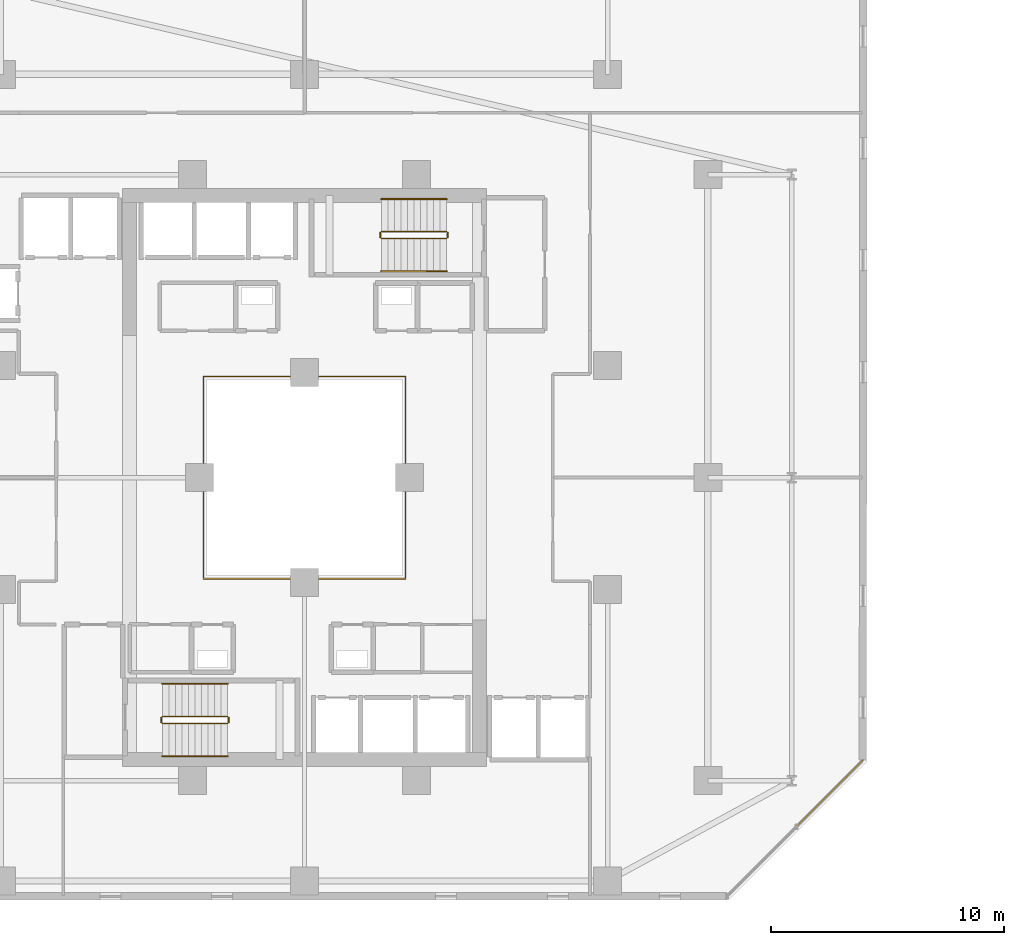
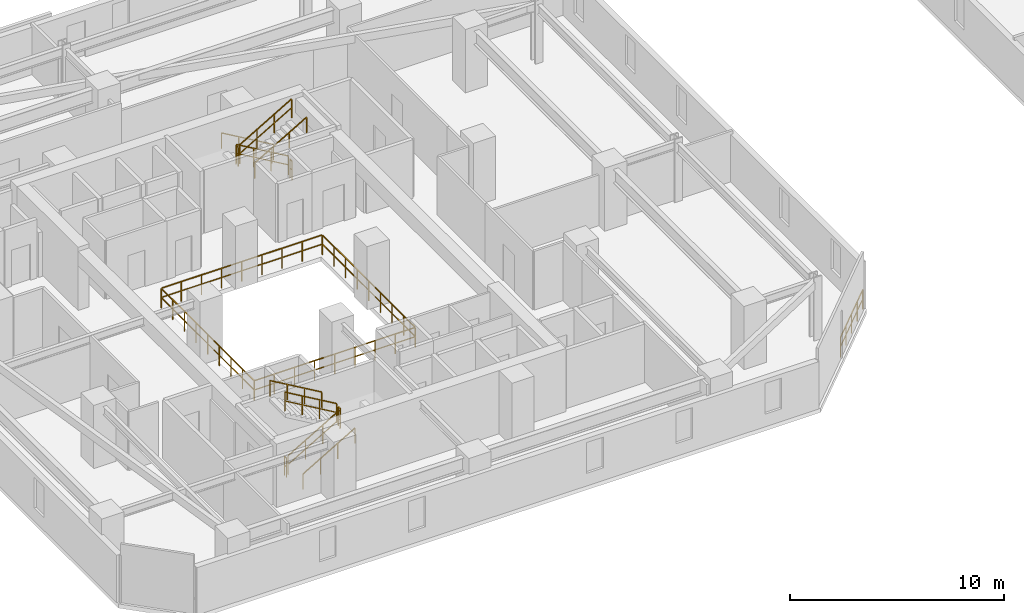
# One storey, part 27 of 30: 14 railings.
"""IFC4 building model written with IfcOpenShell, lengths in metres."""

from ifc_helpers import new_model, si_unit, direction, frame, origin, origin_2d, place, context, subcontext, project, spatial, rectangle, extrude, material, type_object, element, save


model = new_model("IFC4")

# Units and contexts
model_context = context("Model", 3, precision=1e-05, world=origin(), true_north=direction((0.0, 1.0)))
body_context = subcontext(model_context, "Body", "Model", "MODEL_VIEW")
ifc_project = project(units=[si_unit("LENGTHUNIT", "METRE"), si_unit("AREAUNIT", "SQUARE_METRE"), si_unit("VOLUMEUNIT", "CUBIC_METRE"), si_unit("PLANEANGLEUNIT", "RADIAN"), si_unit("MASSUNIT", "GRAM", prefix="KILO")], contexts=[model_context])

# Site, building, storey
site_placement = place(None, origin())
site = spatial("IfcSite", under=ifc_project, at=site_placement, CompositionType="ELEMENT")
building_placement = place(site_placement, origin())
building = spatial("IfcBuilding", under=site, at=building_placement, Name="Thornwick Lancets Civic Towers", CompositionType="ELEMENT")
storey_placement = place(building_placement, frame((0.0, 0.0, 80.10009765625)))
storey = spatial("IfcBuildingStorey", under=building, at=storey_placement, Name="L20", CompositionType="ELEMENT", Elevation=80.10009765625)

# Railings
ifc_material_1 = material(Name="Laminated glass and bronze steel S355", Category="steel")
railing_type_1 = type_object("IfcRailingType", Name="RAIL_ATRIUM_GUARD", PredefinedType="BALUSTRADE", material=ifc_material_1)
railing_1_placement = place(storey_placement, frame((21.159912109375, 22.659912109375, 0.0)))
element("IfcRailing", 1, at=railing_1_placement, inside=storey, type_object=railing_type_1, Name="L20 Tower A Central Atrium Guard Balustrade", PredefinedType="BALUSTRADE", context=body_context, shape_type="SweptSolid", body=[
    extrude(rectangle(XDim=0.048095703125, YDim=0.048095703125, at=origin_2d()), frame((0.0, 0.0, 1.1259765625), z_axis=(1.0, 0.0, 0.0), x_axis=(0.0, 1.0, 0.0)), (0.0, 0.0, 1.0), 8.64892578125),
    extrude(rectangle(XDim=0.0419921875, YDim=0.0419921875, at=origin_2d()), frame((0.03759765625, 0.0, 0.597900390625), z_axis=(1.0, 0.0, 0.0), x_axis=(0.0, 1.0, 0.0)), (0.0, 0.0, 1.0), 1.010009765625),
    extrude(rectangle(XDim=0.0419921875, YDim=0.0419921875, at=origin_2d()), frame((1.12255859375, 0.0, 0.597900390625), z_axis=(1.0, 0.0, 0.0), x_axis=(0.0, 1.0, 0.0)), (0.0, 0.0, 1.0), 1.010009765625),
    extrude(rectangle(XDim=0.0419921875, YDim=0.0419921875, at=origin_2d()), frame((2.20751953125, 0.0, 0.597900390625), z_axis=(1.0, 0.0, 0.0), x_axis=(0.0, 1.0, 0.0)), (0.0, 0.0, 1.0), 1.010009765625),
    extrude(rectangle(XDim=0.0419921875, YDim=0.0419921875, at=origin_2d()), frame((3.29248046875, 0.0, 0.597900390625), z_axis=(1.0, 0.0, 0.0), x_axis=(0.0, 1.0, 0.0)), (0.0, 0.0, 1.0), 1.010009765625),
    extrude(rectangle(XDim=0.0419921875, YDim=0.0419921875, at=origin_2d()), frame((4.377685546875, 0.0, 0.597900390625), z_axis=(1.0, 0.0, 0.0), x_axis=(0.0, 1.0, 0.0)), (0.0, 0.0, 1.0), 1.010009765625),
    extrude(rectangle(XDim=0.0419921875, YDim=0.0419921875, at=origin_2d()), frame((5.462646484375, 0.0, 0.597900390625), z_axis=(1.0, 0.0, 0.0), x_axis=(0.0, 1.0, 0.0)), (0.0, 0.0, 1.0), 1.010009765625),
    extrude(rectangle(XDim=0.0419921875, YDim=0.0419921875, at=origin_2d()), frame((6.547607421875, 0.0, 0.597900390625), z_axis=(1.0, 0.0, 0.0), x_axis=(0.0, 1.0, 0.0)), (0.0, 0.0, 1.0), 1.010009765625),
    extrude(rectangle(XDim=0.0419921875, YDim=0.0419921875, at=origin_2d()), frame((7.632568359375, 0.0, 0.597900390625), z_axis=(1.0, 0.0, 0.0), x_axis=(0.0, 1.0, 0.0)), (0.0, 0.0, 1.0), 1.010009765625),
    extrude(rectangle(XDim=0.048095703125, YDim=0.048095703125, at=origin_2d()), frame((8.68017578125, 0.03125, 1.1259765625), z_axis=(0.0, 1.0, 0.0), x_axis=(-1.0, 0.0, 0.0)), (0.0, 0.0, 1.0), 8.61767578125),
    extrude(rectangle(XDim=0.0419921875, YDim=0.0419921875, at=origin_2d()), frame((8.68017578125, 0.03759765625, 0.597900390625), z_axis=(0.0, 1.0, 0.0), x_axis=(-1.0, 0.0, 0.0)), (0.0, 0.0, 1.0), 1.010009765625),
    extrude(rectangle(XDim=0.0419921875, YDim=0.0419921875, at=origin_2d()), frame((8.68017578125, 1.12255859375, 0.597900390625), z_axis=(0.0, 1.0, 0.0), x_axis=(-1.0, 0.0, 0.0)), (0.0, 0.0, 1.0), 1.010009765625),
    extrude(rectangle(XDim=0.0419921875, YDim=0.0419921875, at=origin_2d()), frame((8.68017578125, 2.20751953125, 0.597900390625), z_axis=(0.0, 1.0, 0.0), x_axis=(-1.0, 0.0, 0.0)), (0.0, 0.0, 1.0), 1.010009765625),
    extrude(rectangle(XDim=0.0419921875, YDim=0.0419921875, at=origin_2d()), frame((8.68017578125, 3.29248046875, 0.597900390625), z_axis=(0.0, 1.0, 0.0), x_axis=(-1.0, 0.0, 0.0)), (0.0, 0.0, 1.0), 1.010009765625),
    extrude(rectangle(XDim=0.0419921875, YDim=0.0419921875, at=origin_2d()), frame((8.68017578125, 4.377685546875, 0.597900390625), z_axis=(0.0, 1.0, 0.0), x_axis=(-1.0, 0.0, 0.0)), (0.0, 0.0, 1.0), 1.010009765625),
    extrude(rectangle(XDim=0.0419921875, YDim=0.0419921875, at=origin_2d()), frame((8.68017578125, 5.462646484375, 0.597900390625), z_axis=(0.0, 1.0, 0.0), x_axis=(-1.0, 0.0, 0.0)), (0.0, 0.0, 1.0), 1.010009765625),
    extrude(rectangle(XDim=0.0419921875, YDim=0.0419921875, at=origin_2d()), frame((8.68017578125, 6.547607421875, 0.597900390625), z_axis=(0.0, 1.0, 0.0), x_axis=(-1.0, 0.0, 0.0)), (0.0, 0.0, 1.0), 1.010009765625),
    extrude(rectangle(XDim=0.0419921875, YDim=0.0419921875, at=origin_2d()), frame((8.68017578125, 7.632568359375, 0.597900390625), z_axis=(0.0, 1.0, 0.0), x_axis=(-1.0, 0.0, 0.0)), (0.0, 0.0, 1.0), 1.010009765625),
    extrude(rectangle(XDim=0.048095703125, YDim=0.048095703125, at=origin_2d()), frame((8.64892578125, 8.68017578125, 1.1259765625), z_axis=(-1.0, 0.0, 0.0), x_axis=(0.0, -1.0, 0.0)), (0.0, 0.0, 1.0), 8.61767578125),
    extrude(rectangle(XDim=0.0419921875, YDim=0.0419921875, at=origin_2d()), frame((8.642578125, 8.68017578125, 0.597900390625), z_axis=(-1.0, 0.0, 0.0), x_axis=(0.0, -1.0, 0.0)), (0.0, 0.0, 1.0), 1.010009765625),
    extrude(rectangle(XDim=0.0419921875, YDim=0.0419921875, at=origin_2d()), frame((7.5576171875, 8.68017578125, 0.597900390625), z_axis=(-1.0, 0.0, 0.0), x_axis=(0.0, -1.0, 0.0)), (0.0, 0.0, 1.0), 1.010009765625),
    extrude(rectangle(XDim=0.0419921875, YDim=0.0419921875, at=origin_2d()), frame((6.47265625, 8.68017578125, 0.597900390625), z_axis=(-1.0, 0.0, 0.0), x_axis=(0.0, -1.0, 0.0)), (0.0, 0.0, 1.0), 1.010009765625),
    extrude(rectangle(XDim=0.0419921875, YDim=0.0419921875, at=origin_2d()), frame((5.3876953125, 8.68017578125, 0.597900390625), z_axis=(-1.0, 0.0, 0.0), x_axis=(0.0, -1.0, 0.0)), (0.0, 0.0, 1.0), 1.010009765625),
    extrude(rectangle(XDim=0.0419921875, YDim=0.0419921875, at=origin_2d()), frame((4.302490234375, 8.68017578125, 0.597900390625), z_axis=(-1.0, 0.0, 0.0), x_axis=(0.0, -1.0, 0.0)), (0.0, 0.0, 1.0), 1.010009765625),
    extrude(rectangle(XDim=0.0419921875, YDim=0.0419921875, at=origin_2d()), frame((3.217529296875, 8.68017578125, 0.597900390625), z_axis=(-1.0, 0.0, 0.0), x_axis=(0.0, -1.0, 0.0)), (0.0, 0.0, 1.0), 1.010009765625),
    extrude(rectangle(XDim=0.0419921875, YDim=0.0419921875, at=origin_2d()), frame((2.132568359375, 8.68017578125, 0.597900390625), z_axis=(-1.0, 0.0, 0.0), x_axis=(0.0, -1.0, 0.0)), (0.0, 0.0, 1.0), 1.010009765625),
    extrude(rectangle(XDim=0.0419921875, YDim=0.0419921875, at=origin_2d()), frame((1.047607421875, 8.68017578125, 0.597900390625), z_axis=(-1.0, 0.0, 0.0), x_axis=(0.0, -1.0, 0.0)), (0.0, 0.0, 1.0), 1.010009765625),
    extrude(rectangle(XDim=0.048095703125, YDim=0.048095703125, at=origin_2d()), frame((0.0, 8.64892578125, 1.1259765625), z_axis=(0.0, -1.0, 0.0), x_axis=(1.0, 0.0, 0.0)), (0.0, 0.0, 1.0), 8.64892578125),
    extrude(rectangle(XDim=0.0419921875, YDim=0.0419921875, at=origin_2d()), frame((0.0, 8.642578125, 0.597900390625), z_axis=(0.0, -1.0, 0.0), x_axis=(1.0, 0.0, 0.0)), (0.0, 0.0, 1.0), 1.010009765625),
    extrude(rectangle(XDim=0.0419921875, YDim=0.0419921875, at=origin_2d()), frame((0.0, 7.5576171875, 0.597900390625), z_axis=(0.0, -1.0, 0.0), x_axis=(1.0, 0.0, 0.0)), (0.0, 0.0, 1.0), 1.010009765625),
    extrude(rectangle(XDim=0.0419921875, YDim=0.0419921875, at=origin_2d()), frame((0.0, 6.47265625, 0.597900390625), z_axis=(0.0, -1.0, 0.0), x_axis=(1.0, 0.0, 0.0)), (0.0, 0.0, 1.0), 1.010009765625),
    extrude(rectangle(XDim=0.0419921875, YDim=0.0419921875, at=origin_2d()), frame((0.0, 5.3876953125, 0.597900390625), z_axis=(0.0, -1.0, 0.0), x_axis=(1.0, 0.0, 0.0)), (0.0, 0.0, 1.0), 1.010009765625),
    extrude(rectangle(XDim=0.0419921875, YDim=0.0419921875, at=origin_2d()), frame((0.0, 4.302490234375, 0.597900390625), z_axis=(0.0, -1.0, 0.0), x_axis=(1.0, 0.0, 0.0)), (0.0, 0.0, 1.0), 1.010009765625),
    extrude(rectangle(XDim=0.0419921875, YDim=0.0419921875, at=origin_2d()), frame((0.0, 3.217529296875, 0.597900390625), z_axis=(0.0, -1.0, 0.0), x_axis=(1.0, 0.0, 0.0)), (0.0, 0.0, 1.0), 1.010009765625),
    extrude(rectangle(XDim=0.0419921875, YDim=0.0419921875, at=origin_2d()), frame((0.0, 2.132568359375, 0.597900390625), z_axis=(0.0, -1.0, 0.0), x_axis=(1.0, 0.0, 0.0)), (0.0, 0.0, 1.0), 1.010009765625),
    extrude(rectangle(XDim=0.0419921875, YDim=0.0419921875, at=origin_2d()), frame((0.0, 1.047607421875, 0.597900390625), z_axis=(0.0, -1.0, 0.0), x_axis=(1.0, 0.0, 0.0)), (0.0, 0.0, 1.0), 1.010009765625),
    extrude(rectangle(XDim=0.0419921875, YDim=0.0419921875, at=origin_2d()), origin(), (0.0, 0.0, 1.0), 1.095703125),
    extrude(rectangle(XDim=0.0419921875, YDim=0.0419921875, at=origin_2d()), frame((1.0849609375, 0.0, 0.0)), (0.0, 0.0, 1.0), 1.095703125),
    extrude(rectangle(XDim=0.0419921875, YDim=0.0419921875, at=origin_2d()), frame((2.169921875, 0.0, 0.0)), (0.0, 0.0, 1.0), 1.095703125),
    extrude(rectangle(XDim=0.0419921875, YDim=0.0419921875, at=origin_2d()), frame((3.255126953125, 0.0, 0.0)), (0.0, 0.0, 1.0), 1.095703125),
    extrude(rectangle(XDim=0.0419921875, YDim=0.0419921875, at=origin_2d()), frame((4.340087890625, 0.0, 0.0)), (0.0, 0.0, 1.0), 1.095703125),
    extrude(rectangle(XDim=0.0419921875, YDim=0.0419921875, at=origin_2d()), frame((5.425048828125, 0.0, 0.0)), (0.0, 0.0, 1.0), 1.095703125),
    extrude(rectangle(XDim=0.0419921875, YDim=0.0419921875, at=origin_2d()), frame((6.51025390625, 0.0, 0.0)), (0.0, 0.0, 1.0), 1.095703125),
    extrude(rectangle(XDim=0.0419921875, YDim=0.0419921875, at=origin_2d()), frame((7.59521484375, 0.0, 0.0)), (0.0, 0.0, 1.0), 1.095703125),
    extrude(rectangle(XDim=0.0419921875, YDim=0.0419921875, at=origin_2d()), frame((8.68017578125, 0.0, 0.0)), (0.0, 0.0, 1.0), 1.095703125),
    extrude(rectangle(XDim=0.0419921875, YDim=0.0419921875, at=origin_2d()), frame((8.68017578125, 1.0849609375, 0.0)), (0.0, 0.0, 1.0), 1.095703125),
    extrude(rectangle(XDim=0.0419921875, YDim=0.0419921875, at=origin_2d()), frame((8.68017578125, 2.169921875, 0.0)), (0.0, 0.0, 1.0), 1.095703125),
    extrude(rectangle(XDim=0.0419921875, YDim=0.0419921875, at=origin_2d()), frame((8.68017578125, 3.255126953125, 0.0)), (0.0, 0.0, 1.0), 1.095703125),
    extrude(rectangle(XDim=0.0419921875, YDim=0.0419921875, at=origin_2d()), frame((8.68017578125, 4.340087890625, 0.0)), (0.0, 0.0, 1.0), 1.095703125),
    extrude(rectangle(XDim=0.0419921875, YDim=0.0419921875, at=origin_2d()), frame((8.68017578125, 5.425048828125, 0.0)), (0.0, 0.0, 1.0), 1.095703125),
    extrude(rectangle(XDim=0.0419921875, YDim=0.0419921875, at=origin_2d()), frame((8.68017578125, 6.51025390625, 0.0)), (0.0, 0.0, 1.0), 1.095703125),
    extrude(rectangle(XDim=0.0419921875, YDim=0.0419921875, at=origin_2d()), frame((8.68017578125, 7.59521484375, 0.0)), (0.0, 0.0, 1.0), 1.095703125),
    extrude(rectangle(XDim=0.0419921875, YDim=0.0419921875, at=origin_2d()), frame((8.68017578125, 8.68017578125, 0.0)), (0.0, 0.0, 1.0), 1.095703125),
    extrude(rectangle(XDim=0.0419921875, YDim=0.0419921875, at=origin_2d()), frame((7.59521484375, 8.68017578125, 0.0)), (0.0, 0.0, 1.0), 1.095703125),
    extrude(rectangle(XDim=0.0419921875, YDim=0.0419921875, at=origin_2d()), frame((6.51025390625, 8.68017578125, 0.0)), (0.0, 0.0, 1.0), 1.095703125),
    extrude(rectangle(XDim=0.0419921875, YDim=0.0419921875, at=origin_2d()), frame((5.425048828125, 8.68017578125, 0.0)), (0.0, 0.0, 1.0), 1.095703125),
    extrude(rectangle(XDim=0.0419921875, YDim=0.0419921875, at=origin_2d()), frame((4.340087890625, 8.68017578125, 0.0)), (0.0, 0.0, 1.0), 1.095703125),
    extrude(rectangle(XDim=0.0419921875, YDim=0.0419921875, at=origin_2d()), frame((3.255126953125, 8.68017578125, 0.0)), (0.0, 0.0, 1.0), 1.095703125),
    extrude(rectangle(XDim=0.0419921875, YDim=0.0419921875, at=origin_2d()), frame((2.169921875, 8.68017578125, 0.0)), (0.0, 0.0, 1.0), 1.095703125),
    extrude(rectangle(XDim=0.0419921875, YDim=0.0419921875, at=origin_2d()), frame((1.0849609375, 8.68017578125, 0.0)), (0.0, 0.0, 1.0), 1.095703125),
    extrude(rectangle(XDim=0.0419921875, YDim=0.0419921875, at=origin_2d()), frame((0.0, 8.68017578125, 0.0)), (0.0, 0.0, 1.0), 1.095703125),
    extrude(rectangle(XDim=0.0419921875, YDim=0.0419921875, at=origin_2d()), frame((0.0, 7.59521484375, 0.0)), (0.0, 0.0, 1.0), 1.095703125),
    extrude(rectangle(XDim=0.0419921875, YDim=0.0419921875, at=origin_2d()), frame((0.0, 6.51025390625, 0.0)), (0.0, 0.0, 1.0), 1.095703125),
    extrude(rectangle(XDim=0.0419921875, YDim=0.0419921875, at=origin_2d()), frame((0.0, 5.425048828125, 0.0)), (0.0, 0.0, 1.0), 1.095703125),
    extrude(rectangle(XDim=0.0419921875, YDim=0.0419921875, at=origin_2d()), frame((0.0, 4.340087890625, 0.0)), (0.0, 0.0, 1.0), 1.095703125),
    extrude(rectangle(XDim=0.0419921875, YDim=0.0419921875, at=origin_2d()), frame((0.0, 3.255126953125, 0.0)), (0.0, 0.0, 1.0), 1.095703125),
    extrude(rectangle(XDim=0.0419921875, YDim=0.0419921875, at=origin_2d()), frame((0.0, 2.169921875, 0.0)), (0.0, 0.0, 1.0), 1.095703125),
    extrude(rectangle(XDim=0.0419921875, YDim=0.0419921875, at=origin_2d()), frame((0.0, 1.0849609375, 0.0)), (0.0, 0.0, 1.0), 1.095703125),
])
ifc_material_2 = material(Name="Brushed stainless steel S355", Category="steel")
railing_type_2 = type_object("IfcRailingType", Name="RAIL_HANDRAIL", PredefinedType="HANDRAIL", material=ifc_material_2)
railing_2_placement = place(storey_placement, frame((19.39990234375, 15.050048828125, 0.16357421875)))
element("IfcRailing", 2, at=railing_2_placement, inside=storey, type_object=railing_type_2, Name="L20 ST-A1 stair handrail 1", PredefinedType="HANDRAIL", context=body_context, shape_type="SweptSolid", body=[
    extrude(rectangle(XDim=0.048095703125, YDim=0.048095703125, at=origin_2d()), frame((0.0, 0.0, 0.8857421875), z_axis=(0.863393664356, 0.0, 0.504530851732), x_axis=(0.0, 1.0, 0.0)), (0.0, 0.0, 1.0), 3.2431640625),
    extrude(rectangle(XDim=0.0419921875, YDim=0.0419921875, at=origin_2d()), origin(), (0.0, 0.0, 1.0), 0.855712890625),
    extrude(rectangle(XDim=0.0419921875, YDim=0.0419921875, at=origin_2d()), frame((0.933349609375, 0.0, 0.54541015625)), (0.0, 0.0, 1.0), 0.855712890625),
    extrude(rectangle(XDim=0.0419921875, YDim=0.0419921875, at=origin_2d()), frame((1.86669921875, 0.0, 1.0908203125)), (0.0, 0.0, 1.0), 0.855712890625),
    extrude(rectangle(XDim=0.0419921875, YDim=0.0419921875, at=origin_2d()), frame((2.800048828125, 0.0, 1.63623046875)), (0.0, 0.0, 1.0), 0.855712890625),
])
for number, where, name in (
    (3, (22.199951171875, 18.14990234375, 1.963623046875), "L20 ST-A1 stair handrail 2"),
    (4, (31.60009765625, 38.949951171875, 0.16357421875), "L20 ST-A2 stair handrail 1"),
):
    element("IfcRailing", number, at=place(storey_placement, frame(where)), inside=storey, type_object=railing_type_2, Name=name, PredefinedType="HANDRAIL", context=body_context, shape_type="SweptSolid", body=[
        extrude(rectangle(XDim=0.048095703125, YDim=0.048095703125, at=origin_2d()), frame((0.0, 0.0, 0.8857421875), z_axis=(-0.863393664356, 0.0, 0.504530851732), x_axis=(0.0, -1.0, 0.0)), (0.0, 0.0, 1.0), 3.2431640625),
        extrude(rectangle(XDim=0.0419921875, YDim=0.0419921875, at=origin_2d()), origin(), (0.0, 0.0, 1.0), 0.855712890625),
        extrude(rectangle(XDim=0.0419921875, YDim=0.0419921875, at=origin_2d()), frame((-0.933349609375, 0.0, 0.54541015625)), (0.0, 0.0, 1.0), 0.855712890625),
        extrude(rectangle(XDim=0.0419921875, YDim=0.0419921875, at=origin_2d()), frame((-1.86669921875, 0.0, 1.0908203125)), (0.0, 0.0, 1.0), 0.855712890625),
        extrude(rectangle(XDim=0.0419921875, YDim=0.0419921875, at=origin_2d()), frame((-2.800048828125, 0.0, 1.63623046875)), (0.0, 0.0, 1.0), 0.855712890625),
    ])
railing_3_placement = place(storey_placement, frame((28.800048828125, 35.85009765625, 1.963623046875)))
element("IfcRailing", 5, at=railing_3_placement, inside=storey, type_object=railing_type_2, Name="L20 ST-A2 stair handrail 2", PredefinedType="HANDRAIL", context=body_context, shape_type="SweptSolid", body=[
    extrude(rectangle(XDim=0.048095703125, YDim=0.048095703125, at=origin_2d()), frame((0.0, 0.0, 0.8857421875), z_axis=(0.863393664356, 0.0, 0.504530851732), x_axis=(0.0, 1.0, 0.0)), (0.0, 0.0, 1.0), 3.2431640625),
    extrude(rectangle(XDim=0.0419921875, YDim=0.0419921875, at=origin_2d()), origin(), (0.0, 0.0, 1.0), 0.855712890625),
    extrude(rectangle(XDim=0.0419921875, YDim=0.0419921875, at=origin_2d()), frame((0.933349609375, 0.0, 0.54541015625)), (0.0, 0.0, 1.0), 0.855712890625),
    extrude(rectangle(XDim=0.0419921875, YDim=0.0419921875, at=origin_2d()), frame((1.86669921875, 0.0, 1.0908203125)), (0.0, 0.0, 1.0), 0.855712890625),
    extrude(rectangle(XDim=0.0419921875, YDim=0.0419921875, at=origin_2d()), frame((2.800048828125, 0.0, 1.63623046875)), (0.0, 0.0, 1.0), 0.855712890625),
])
ifc_material_3 = material(Name="Steel S355JR", Category="steel")
railing_type_3 = type_object("IfcRailingType", Name="RAIL_STAIR_GUARD", PredefinedType="GUARDRAIL", material=ifc_material_3)
railing_4_placement = place(storey_placement, frame((19.39990234375, 16.449951171875, 0.16357421875)))
element("IfcRailing", 6, at=railing_4_placement, inside=storey, type_object=railing_type_3, Name="L20 ST-A1 stair guard 1", PredefinedType="GUARDRAIL", context=body_context, shape_type="SweptSolid", body=[
    extrude(rectangle(XDim=0.048095703125, YDim=0.048095703125, at=origin_2d()), frame((0.0, 0.0, 1.076171875), z_axis=(0.863393664356, 0.0, 0.504530851732), x_axis=(0.0, 1.0, 0.0)), (0.0, 0.0, 1.0), 3.2431640625),
    extrude(rectangle(XDim=0.0419921875, YDim=0.0419921875, at=origin_2d()), frame((0.032470703125, 0.0, 0.591064453125), z_axis=(0.863393664356, 0.0, 0.504530851732), x_axis=(0.0, 1.0, 0.0)), (0.0, 0.0, 1.0), 1.006103515625),
    extrude(rectangle(XDim=0.0419921875, YDim=0.0419921875, at=origin_2d()), frame((0.9658203125, 0.0, 1.136474609375), z_axis=(0.863393664356, 0.0, 0.504530851732), x_axis=(0.0, 1.0, 0.0)), (0.0, 0.0, 1.0), 1.006103515625),
    extrude(rectangle(XDim=0.0419921875, YDim=0.0419921875, at=origin_2d()), frame((1.899169921875, 0.0, 1.681884765625), z_axis=(0.863393664356, 0.0, 0.504530851732), x_axis=(0.0, 1.0, 0.0)), (0.0, 0.0, 1.0), 1.006103515625),
    extrude(rectangle(XDim=0.0419921875, YDim=0.0419921875, at=origin_2d()), origin(), (0.0, 0.0, 1.0), 1.0458984375),
    extrude(rectangle(XDim=0.0419921875, YDim=0.0419921875, at=origin_2d()), frame((0.933349609375, 0.0, 0.54541015625)), (0.0, 0.0, 1.0), 1.0458984375),
    extrude(rectangle(XDim=0.0419921875, YDim=0.0419921875, at=origin_2d()), frame((1.86669921875, 0.0, 1.0908203125)), (0.0, 0.0, 1.0), 1.0458984375),
    extrude(rectangle(XDim=0.0419921875, YDim=0.0419921875, at=origin_2d()), frame((2.800048828125, 0.0, 1.63623046875)), (0.0, 0.0, 1.0), 1.0458984375),
])
railing_5_placement = place(storey_placement, frame((22.25, 16.5, 1.7998046875)))
element("IfcRailing", 7, at=railing_5_placement, inside=storey, type_object=railing_type_3, Name="L20 ST-A1 stair guard 2", PredefinedType="GUARDRAIL", context=body_context, shape_type="SweptSolid", body=[
    extrude(rectangle(XDim=0.048095703125, YDim=0.048095703125, at=origin_2d()), frame((0.0, 0.0, 1.076171875), z_axis=(0.0, 1.0, 0.0), x_axis=(-1.0, 0.0, 0.0)), (0.0, 0.0, 1.0), 0.199951171875),
    extrude(rectangle(XDim=0.0419921875, YDim=0.0419921875, at=origin_2d()), frame((0.0, 0.03759765625, 0.572021484375), z_axis=(0.0, 1.0, 0.0), x_axis=(-1.0, 0.0, 0.0)), (0.0, 0.0, 1.0), 0.125),
    extrude(rectangle(XDim=0.0419921875, YDim=0.0419921875, at=origin_2d()), origin(), (0.0, 0.0, 1.0), 1.0458984375),
    extrude(rectangle(XDim=0.0419921875, YDim=0.0419921875, at=origin_2d()), frame((0.0, 0.199951171875, 0.0)), (0.0, 0.0, 1.0), 1.0458984375),
])
railing_6_placement = place(storey_placement, frame((22.199951171875, 16.75, 1.963623046875)))
element("IfcRailing", 8, at=railing_6_placement, inside=storey, type_object=railing_type_3, Name="L20 ST-A1 stair guard 3", PredefinedType="GUARDRAIL", context=body_context, shape_type="SweptSolid", body=[
    extrude(rectangle(XDim=0.048095703125, YDim=0.048095703125, at=origin_2d()), frame((0.0, 0.0, 1.076171875), z_axis=(-0.863393664356, 0.0, 0.504530851732), x_axis=(0.0, -1.0, 0.0)), (0.0, 0.0, 1.0), 3.2431640625),
    extrude(rectangle(XDim=0.0419921875, YDim=0.0419921875, at=origin_2d()), frame((-0.032470703125, 0.0, 0.591064453125), z_axis=(-0.863393664356, 0.0, 0.504530851732), x_axis=(0.0, -1.0, 0.0)), (0.0, 0.0, 1.0), 1.006103515625),
    extrude(rectangle(XDim=0.0419921875, YDim=0.0419921875, at=origin_2d()), frame((-0.9658203125, 0.0, 1.136474609375), z_axis=(-0.863393664356, 0.0, 0.504530851732), x_axis=(0.0, -1.0, 0.0)), (0.0, 0.0, 1.0), 1.006103515625),
    extrude(rectangle(XDim=0.0419921875, YDim=0.0419921875, at=origin_2d()), frame((-1.899169921875, 0.0, 1.681884765625), z_axis=(-0.863393664356, 0.0, 0.504530851732), x_axis=(0.0, -1.0, 0.0)), (0.0, 0.0, 1.0), 1.006103515625),
    extrude(rectangle(XDim=0.0419921875, YDim=0.0419921875, at=origin_2d()), origin(), (0.0, 0.0, 1.0), 1.0458984375),
    extrude(rectangle(XDim=0.0419921875, YDim=0.0419921875, at=origin_2d()), frame((-0.933349609375, 0.0, 0.54541015625)), (0.0, 0.0, 1.0), 1.0458984375),
    extrude(rectangle(XDim=0.0419921875, YDim=0.0419921875, at=origin_2d()), frame((-1.86669921875, 0.0, 1.0908203125)), (0.0, 0.0, 1.0), 1.0458984375),
    extrude(rectangle(XDim=0.0419921875, YDim=0.0419921875, at=origin_2d()), frame((-2.800048828125, 0.0, 1.63623046875)), (0.0, 0.0, 1.0), 1.0458984375),
])
railing_7_placement = place(storey_placement, frame((19.35009765625, 16.5, 0.0)))
element("IfcRailing", 9, at=railing_7_placement, inside=storey, type_object=railing_type_3, Name="L20 ST-A1 stair guard 4", PredefinedType="GUARDRAIL", context=body_context, shape_type="SweptSolid", body=[
    extrude(rectangle(XDim=0.048095703125, YDim=0.048095703125, at=origin_2d()), frame((0.0, 0.0, 1.076171875), z_axis=(0.0, 1.0, 0.0), x_axis=(-1.0, 0.0, 0.0)), (0.0, 0.0, 1.0), 0.199951171875),
    extrude(rectangle(XDim=0.0419921875, YDim=0.0419921875, at=origin_2d()), frame((0.0, 0.03759765625, 0.572021484375), z_axis=(0.0, 1.0, 0.0), x_axis=(-1.0, 0.0, 0.0)), (0.0, 0.0, 1.0), 0.125),
    extrude(rectangle(XDim=0.0419921875, YDim=0.0419921875, at=origin_2d()), origin(), (0.0, 0.0, 1.0), 1.0458984375),
    extrude(rectangle(XDim=0.0419921875, YDim=0.0419921875, at=origin_2d()), frame((0.0, 0.199951171875, 0.0)), (0.0, 0.0, 1.0), 1.0458984375),
])
railing_8_placement = place(storey_placement, frame((31.60009765625, 37.550048828125, 0.16357421875)))
element("IfcRailing", 10, at=railing_8_placement, inside=storey, type_object=railing_type_3, Name="L20 ST-A2 stair guard 1", PredefinedType="GUARDRAIL", context=body_context, shape_type="SweptSolid", body=[
    extrude(rectangle(XDim=0.048095703125, YDim=0.048095703125, at=origin_2d()), frame((0.0, 0.0, 1.076171875), z_axis=(-0.863393664356, 0.0, 0.504530851732), x_axis=(0.0, -1.0, 0.0)), (0.0, 0.0, 1.0), 3.2431640625),
    extrude(rectangle(XDim=0.0419921875, YDim=0.0419921875, at=origin_2d()), frame((-0.032470703125, 0.0, 0.591064453125), z_axis=(-0.863393664356, 0.0, 0.504530851732), x_axis=(0.0, -1.0, 0.0)), (0.0, 0.0, 1.0), 1.006103515625),
    extrude(rectangle(XDim=0.0419921875, YDim=0.0419921875, at=origin_2d()), frame((-0.9658203125, 0.0, 1.136474609375), z_axis=(-0.863393664356, 0.0, 0.504530851732), x_axis=(0.0, -1.0, 0.0)), (0.0, 0.0, 1.0), 1.006103515625),
    extrude(rectangle(XDim=0.0419921875, YDim=0.0419921875, at=origin_2d()), frame((-1.899169921875, 0.0, 1.681884765625), z_axis=(-0.863393664356, 0.0, 0.504530851732), x_axis=(0.0, -1.0, 0.0)), (0.0, 0.0, 1.0), 1.006103515625),
    extrude(rectangle(XDim=0.0419921875, YDim=0.0419921875, at=origin_2d()), origin(), (0.0, 0.0, 1.0), 1.0458984375),
    extrude(rectangle(XDim=0.0419921875, YDim=0.0419921875, at=origin_2d()), frame((-0.933349609375, 0.0, 0.54541015625)), (0.0, 0.0, 1.0), 1.0458984375),
    extrude(rectangle(XDim=0.0419921875, YDim=0.0419921875, at=origin_2d()), frame((-1.86669921875, 0.0, 1.0908203125)), (0.0, 0.0, 1.0), 1.0458984375),
    extrude(rectangle(XDim=0.0419921875, YDim=0.0419921875, at=origin_2d()), frame((-2.800048828125, 0.0, 1.63623046875)), (0.0, 0.0, 1.0), 1.0458984375),
])
railing_9_placement = place(storey_placement, frame((28.75, 37.5, 1.7998046875)))
element("IfcRailing", 11, at=railing_9_placement, inside=storey, type_object=railing_type_3, Name="L20 ST-A2 stair guard 2", PredefinedType="GUARDRAIL", context=body_context, shape_type="SweptSolid", body=[
    extrude(rectangle(XDim=0.048095703125, YDim=0.048095703125, at=origin_2d()), frame((0.0, 0.0, 1.076171875), z_axis=(0.0, -1.0, 0.0), x_axis=(1.0, 0.0, 0.0)), (0.0, 0.0, 1.0), 0.199951171875),
    extrude(rectangle(XDim=0.0419921875, YDim=0.0419921875, at=origin_2d()), frame((0.0, -0.03759765625, 0.572021484375), z_axis=(0.0, -1.0, 0.0), x_axis=(1.0, 0.0, 0.0)), (0.0, 0.0, 1.0), 0.125),
    extrude(rectangle(XDim=0.0419921875, YDim=0.0419921875, at=origin_2d()), origin(), (0.0, 0.0, 1.0), 1.0458984375),
    extrude(rectangle(XDim=0.0419921875, YDim=0.0419921875, at=origin_2d()), frame((0.0, -0.199951171875, 0.0)), (0.0, 0.0, 1.0), 1.0458984375),
])
railing_10_placement = place(storey_placement, frame((28.800048828125, 37.25, 1.963623046875)))
element("IfcRailing", 12, at=railing_10_placement, inside=storey, type_object=railing_type_3, Name="L20 ST-A2 stair guard 3", PredefinedType="GUARDRAIL", context=body_context, shape_type="SweptSolid", body=[
    extrude(rectangle(XDim=0.048095703125, YDim=0.048095703125, at=origin_2d()), frame((0.0, 0.0, 1.076171875), z_axis=(0.863393664356, 0.0, 0.504530851732), x_axis=(0.0, 1.0, 0.0)), (0.0, 0.0, 1.0), 3.2431640625),
    extrude(rectangle(XDim=0.0419921875, YDim=0.0419921875, at=origin_2d()), frame((0.032470703125, 0.0, 0.591064453125), z_axis=(0.863393664356, 0.0, 0.504530851732), x_axis=(0.0, 1.0, 0.0)), (0.0, 0.0, 1.0), 1.006103515625),
    extrude(rectangle(XDim=0.0419921875, YDim=0.0419921875, at=origin_2d()), frame((0.9658203125, 0.0, 1.136474609375), z_axis=(0.863393664356, 0.0, 0.504530851732), x_axis=(0.0, 1.0, 0.0)), (0.0, 0.0, 1.0), 1.006103515625),
    extrude(rectangle(XDim=0.0419921875, YDim=0.0419921875, at=origin_2d()), frame((1.899169921875, 0.0, 1.681884765625), z_axis=(0.863393664356, 0.0, 0.504530851732), x_axis=(0.0, 1.0, 0.0)), (0.0, 0.0, 1.0), 1.006103515625),
    extrude(rectangle(XDim=0.0419921875, YDim=0.0419921875, at=origin_2d()), origin(), (0.0, 0.0, 1.0), 1.0458984375),
    extrude(rectangle(XDim=0.0419921875, YDim=0.0419921875, at=origin_2d()), frame((0.933349609375, 0.0, 0.54541015625)), (0.0, 0.0, 1.0), 1.0458984375),
    extrude(rectangle(XDim=0.0419921875, YDim=0.0419921875, at=origin_2d()), frame((1.86669921875, 0.0, 1.0908203125)), (0.0, 0.0, 1.0), 1.0458984375),
    extrude(rectangle(XDim=0.0419921875, YDim=0.0419921875, at=origin_2d()), frame((2.800048828125, 0.0, 1.63623046875)), (0.0, 0.0, 1.0), 1.0458984375),
])
railing_11_placement = place(storey_placement, frame((31.64990234375, 37.5, 0.0)))
element("IfcRailing", 13, at=railing_11_placement, inside=storey, type_object=railing_type_3, Name="L20 ST-A2 stair guard 4", PredefinedType="GUARDRAIL", context=body_context, shape_type="SweptSolid", body=[
    extrude(rectangle(XDim=0.048095703125, YDim=0.048095703125, at=origin_2d()), frame((0.0, 0.0, 1.076171875), z_axis=(0.0, -1.0, 0.0), x_axis=(1.0, 0.0, 0.0)), (0.0, 0.0, 1.0), 0.199951171875),
    extrude(rectangle(XDim=0.0419921875, YDim=0.0419921875, at=origin_2d()), frame((0.0, -0.03759765625, 0.572021484375), z_axis=(0.0, -1.0, 0.0), x_axis=(1.0, 0.0, 0.0)), (0.0, 0.0, 1.0), 0.125),
    extrude(rectangle(XDim=0.0419921875, YDim=0.0419921875, at=origin_2d()), origin(), (0.0, 0.0, 1.0), 1.0458984375),
    extrude(rectangle(XDim=0.0419921875, YDim=0.0419921875, at=origin_2d()), frame((0.0, -0.199951171875, 0.0)), (0.0, 0.0, 1.0), 1.0458984375),
])
ifc_material_4 = material(Name="Terracotta-capped laminated glass balustrade S355", Category="masonry")
railing_type_4 = type_object("IfcRailingType", Name="RAIL_TERR_GUARD", PredefinedType="GUARDRAIL", material=ifc_material_4)
railing_12_placement = place(storey_placement, frame((46.60400390625, 12.0283203125, 0.0)))
element("IfcRailing", 14, at=railing_12_placement, inside=storey, type_object=railing_type_4, Name="L20 Tower A Chamfer Spandrel Guard E1-1", PredefinedType="GUARDRAIL", context=body_context, shape_type="SweptSolid", body=[
    extrude(rectangle(XDim=0.048095703125, YDim=0.048095703125, at=origin_2d()), frame((0.0, 0.0, 1.1259765625), z_axis=(0.707106781187, 0.707106781187, 0.0), x_axis=(-0.707106781187, 0.707106781187, 0.0)), (0.0, 0.0, 1.0), 4.03076171875),
    extrude(rectangle(XDim=0.0419921875, YDim=0.0419921875, at=origin_2d()), frame((0.026611328125, 0.026611328125, 0.597900390625), z_axis=(0.707106781187, 0.707106781187, 0.0), x_axis=(-0.707106781187, 0.707106781187, 0.0)), (0.0, 0.0, 1.0), 0.9326171875),
    extrude(rectangle(XDim=0.0419921875, YDim=0.0419921875, at=origin_2d()), frame((0.739013671875, 0.739013671875, 0.597900390625), z_axis=(0.707106781187, 0.707106781187, 0.0), x_axis=(-0.707106781187, 0.707106781187, 0.0)), (0.0, 0.0, 1.0), 0.9326171875),
    extrude(rectangle(XDim=0.0419921875, YDim=0.0419921875, at=origin_2d()), frame((1.45166015625, 1.45166015625, 0.597900390625), z_axis=(0.707106781187, 0.707106781187, 0.0), x_axis=(-0.707106781187, 0.707106781187, 0.0)), (0.0, 0.0, 1.0), 0.9326171875),
    extrude(rectangle(XDim=0.0419921875, YDim=0.0419921875, at=origin_2d()), frame((2.1640625, 2.1640625, 0.597900390625), z_axis=(0.707106781187, 0.707106781187, 0.0), x_axis=(-0.707106781187, 0.707106781187, 0.0)), (0.0, 0.0, 1.0), 0.9326171875),
    extrude(rectangle(XDim=0.0419921875, YDim=0.0419921875, at=origin_2d()), origin(), (0.0, 0.0, 1.0), 1.095703125),
    extrude(rectangle(XDim=0.0419921875, YDim=0.0419921875, at=origin_2d()), frame((0.71240234375, 0.71240234375, 0.0)), (0.0, 0.0, 1.0), 1.095703125),
    extrude(rectangle(XDim=0.0419921875, YDim=0.0419921875, at=origin_2d()), frame((1.425048828125, 1.425048828125, 0.0)), (0.0, 0.0, 1.0), 1.095703125),
    extrude(rectangle(XDim=0.0419921875, YDim=0.0419921875, at=origin_2d()), frame((2.1376953125, 2.1376953125, 0.0)), (0.0, 0.0, 1.0), 1.095703125),
    extrude(rectangle(XDim=0.0419921875, YDim=0.0419921875, at=origin_2d()), frame((2.85009765625, 2.85009765625, 0.0)), (0.0, 0.0, 1.0), 1.095703125),
])

save(model, "model.ifc")
